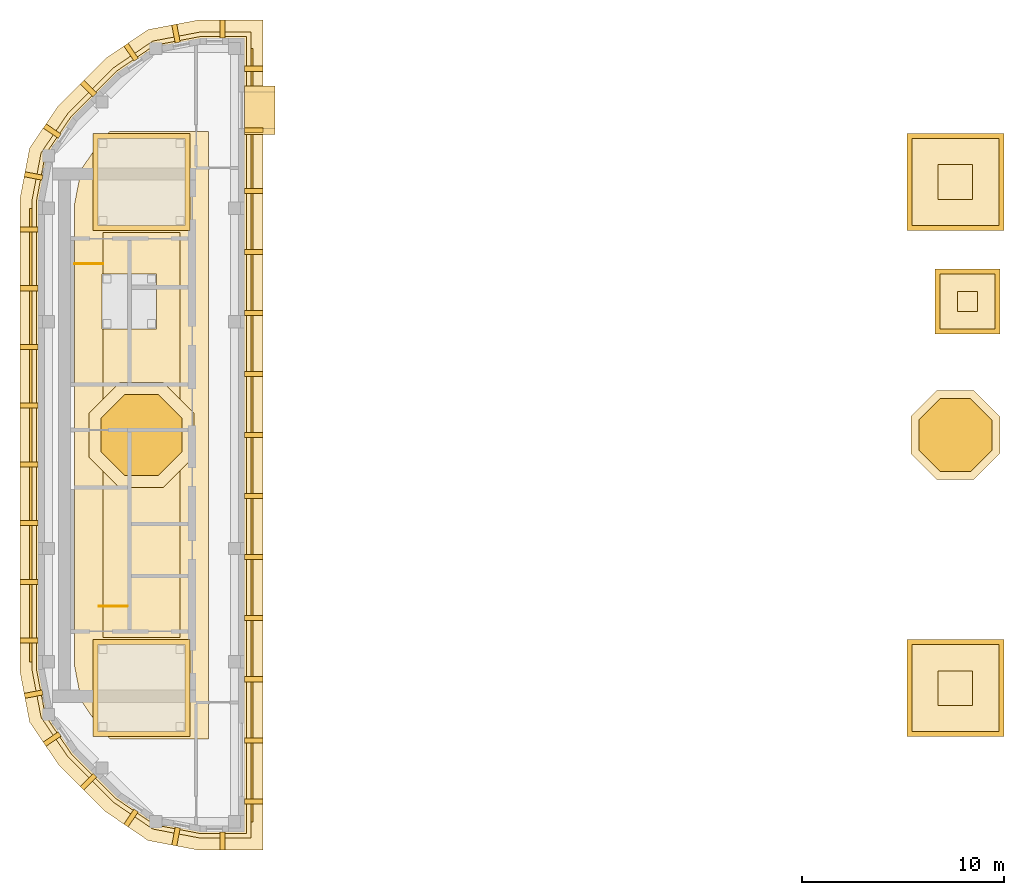
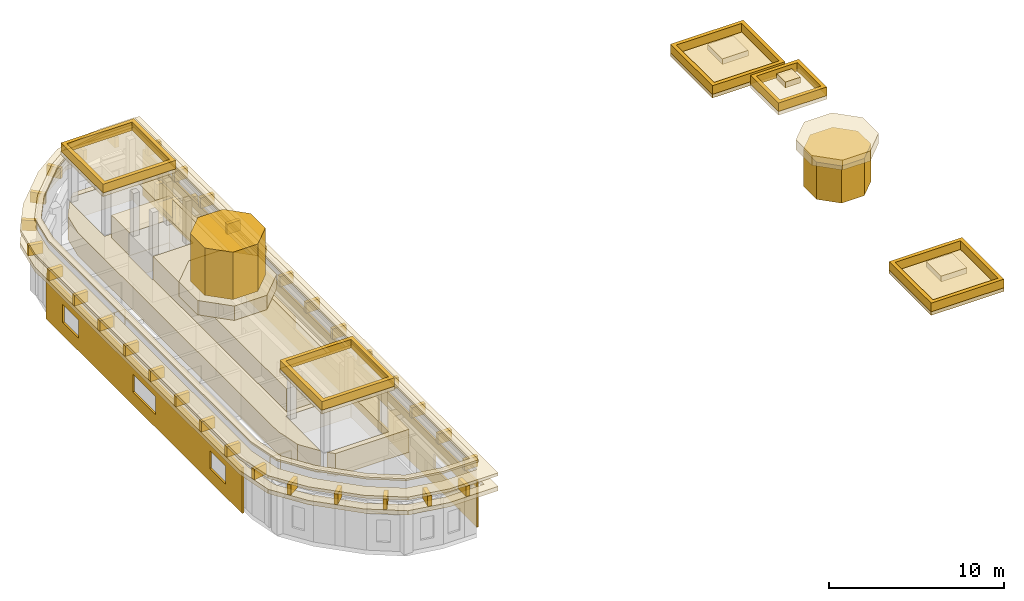
# One storey, part 4 of 4: 59 coverings, 2 railings.
"""IFC4 building model written with IfcOpenShell, lengths in metres."""

import ifcopenshell
import ifcopenshell.guid

model = None  # the IFC model being written
_history = None  # IfcOwnerHistory: only IFC2X3 demands one
_inside = {}  # id of a spatial element -> (the spatial element, [elements in it])
_under = {}  # id of a project, library or spatial element -> (it, [spatial elements below it])
_declared = {}  # id of a project -> (the project, [libraries it declares])
_typed = {}  # id of a type object -> (the type object, [elements of that type])
_made_of = {}  # id of a material, layer set ... -> (it, [elements and type objects made of it])


def new_model(schema):
    """Start an empty IFC model of exactly this schema.

    Asked for "IFC4X3", IfcOpenShell would pick the latest addendum, in which some entities
    have other attributes; the version numbers below select the first issue.
    IFC2X3 requires an IfcOwnerHistory on every rooted entity: one is made here for all.
    """
    global model, _history
    if schema == "IFC4X3":
        model = ifcopenshell.file(schema_version=(4, 3, 0, 0))
    else:
        model = ifcopenshell.file(schema=schema)
    _inside.clear()
    _under.clear()
    _declared.clear()
    _typed.clear()
    _made_of.clear()
    _history = None
    if model.schema == "IFC2X3":
        org = make("IfcOrganization", Name="unknown")
        user = make(
            "IfcPersonAndOrganization",
            ThePerson=make("IfcPerson", FamilyName="unknown"),
            TheOrganization=org,
        )
        app = make(
            "IfcApplication",
            ApplicationDeveloper=org,
            Version="unknown",
            ApplicationFullName="unknown",
            ApplicationIdentifier="unknown",
        )
        _history = make(
            "IfcOwnerHistory",
            OwningUser=user,
            OwningApplication=app,
            ChangeAction="ADDED",
            CreationDate=0,
        )
    return model


def make(cls, **values):
    """One entity of the class cls with the attributes given. An attribute that is None is left unset."""
    return model.create_entity(
        cls, **{name: value for name, value in values.items() if value is not None}
    )


def rooted(cls, **values):
    """An entity with a GlobalId (a new one), such as an element, a storey or a relation."""
    return make(cls, GlobalId=ifcopenshell.guid.new(), OwnerHistory=_history, **values)


def si_unit(unit_type, name, prefix=None):
    """IfcSIUnit, for example si_unit("LENGTHUNIT", "METRE", prefix="MILLI")."""
    return make("IfcSIUnit", UnitType=unit_type, Prefix=prefix, Name=name)


def assignment(units):
    """IfcUnitAssignment: the units of a project."""
    return None if units is None else make("IfcUnitAssignment", Units=units)


def point(xyz):
    """IfcCartesianPoint."""
    return None if xyz is None else make("IfcCartesianPoint", Coordinates=xyz)


def direction(xyz):
    """IfcDirection."""
    return None if xyz is None else make("IfcDirection", DirectionRatios=xyz)


def frame(location, z_axis=None, x_axis=None):
    """IfcAxis2Placement3D, a coordinate frame: its origin and axes. An axis left out is left unset."""
    return make(
        "IfcAxis2Placement3D",
        Location=point(location),
        Axis=direction(z_axis),
        RefDirection=direction(x_axis),
    )


def frame_2d(location, x_axis=None):
    """IfcAxis2Placement2D, a coordinate frame in the plane: its origin and x axis."""
    return make(
        "IfcAxis2Placement2D", Location=point(location), RefDirection=direction(x_axis)
    )


def origin():
    """The frame at (0, 0, 0) with its axes left unset."""
    return frame((0.0, 0.0, 0.0))


def origin_2d():
    """The frame at (0, 0) in the plane with its x axis left unset."""
    return frame_2d((0.0, 0.0))


def place(relative_to, where):
    """IfcLocalPlacement: puts the frame where relative to a parent placement (None: the world)."""
    return make(
        "IfcLocalPlacement", PlacementRelTo=relative_to, RelativePlacement=where
    )


def context(
    kind, dimensions, precision=None, world=None, true_north=None, identifier=None
):
    """IfcGeometricRepresentationContext, for example the 3D "Model" context."""
    return make(
        "IfcGeometricRepresentationContext",
        ContextIdentifier=identifier,
        ContextType=kind,
        CoordinateSpaceDimension=dimensions,
        Precision=precision,
        WorldCoordinateSystem=world,
        TrueNorth=true_north,
    )


def subcontext(parent, identifier, kind, view, scale=None):
    """IfcGeometricRepresentationSubContext, for example "Body" below "Model"."""
    return make(
        "IfcGeometricRepresentationSubContext",
        ContextIdentifier=identifier,
        ContextType=kind,
        ParentContext=parent,
        TargetScale=scale,
        TargetView=view,
    )


def project(units=None, contexts=None):
    """IfcProject with its units and contexts."""
    return rooted(
        "IfcProject",
        Name="project",
        RepresentationContexts=contexts,
        UnitsInContext=assignment(units),
    )


def spatial(cls, under=None, at=None, **own):
    """A site, building, storey or space (cls), placed at a placement, below another one or the project."""
    s = rooted(cls, ObjectPlacement=at, **own)
    if under is not None:
        _under.setdefault(under.id(), (under, []))[1].append(s)
    return s


def polyline(points):
    """IfcPolyline through the points."""
    return make("IfcPolyline", Points=[point(p) for p in points])


def profile(cls, at=None, kind="AREA", **sizes):
    """A parametric profile (cls). Its sizes go by their IFC names, for example OverallWidth=200.0."""
    return make(cls, ProfileType=kind, Position=at, **sizes)


def rectangle(**sizes):
    """IfcRectangleProfileDef."""
    return profile("IfcRectangleProfileDef", **sizes)


def circle(**sizes):
    """IfcCircleProfileDef."""
    return profile("IfcCircleProfileDef", **sizes)


def outline(outer, holes=None, kind="AREA"):
    """IfcArbitraryClosedProfileDef: a profile drawn as a closed curve; with holes, ...WithVoids."""
    if holes is None:
        return make("IfcArbitraryClosedProfileDef", ProfileType=kind, OuterCurve=outer)
    return make(
        "IfcArbitraryProfileDefWithVoids",
        ProfileType=kind,
        OuterCurve=outer,
        InnerCurves=holes,
    )


def extrude(swept, where, along, depth):
    """IfcExtrudedAreaSolid: the profile swept, set in the frame where, extruded along a direction by depth."""
    return make(
        "IfcExtrudedAreaSolid",
        SweptArea=swept,
        Position=where,
        ExtrudedDirection=direction(along),
        Depth=depth,
    )


def shape(context_of_items, identifier, shape_type, items):
    """IfcShapeRepresentation: the items that make up one representation, for example the "Body"."""
    return make(
        "IfcShapeRepresentation",
        ContextOfItems=context_of_items,
        RepresentationIdentifier=identifier,
        RepresentationType=shape_type,
        Items=items,
    )


def material(Name=None, Category=None):
    """IfcMaterial."""
    return make("IfcMaterial", Name=Name, Category=Category)


def layer(
    of_material, thickness, ventilated=None, Name=None, Category=None, Priority=None
):
    """IfcMaterialLayer: one layer of a wall or slab, of a material (None: an air gap)."""
    return make(
        "IfcMaterialLayer",
        Material=of_material,
        LayerThickness=thickness,
        IsVentilated=ventilated,
        Name=Name,
        Category=Category,
        Priority=Priority,
    )


def layer_set(layers, Name=None):
    """IfcMaterialLayerSet."""
    return make("IfcMaterialLayerSet", MaterialLayers=layers, LayerSetName=Name)


def made_of(thing, what):
    """Note that an element or type object is made of a material, layer set ...; save() writes the relation."""
    if what is not None:
        _made_of.setdefault(what.id(), (what, []))[1].append(thing)
    return thing


def type_object(cls, material=None, **own):
    """A type object (cls), such as IfcWallType, which elements share."""
    return made_of(rooted(cls, **own), material)


def element(
    cls,
    number,
    at=None,
    inside=None,
    cuts=None,
    type_object=None,
    material=None,
    context=None,
    identifier="Body",
    shape_type=None,
    held_by="IfcProductDefinitionShape",
    body=None,
    shapes=None,
    **own,
):
    """One element of the class cls, such as IfcWall. Its Tag is "e" and its number.

    at: its placement. inside: the storey or other place that contains it. cuts: it is an
    opening in that element (IfcRelVoidsElement). A single representation is given by context,
    identifier, shape_type and body (its items); several are given by shapes. held_by: the class
    of the entity that holds the representations. save() writes the other relations.
    """
    e = rooted(cls, Tag="e%d" % number, ObjectPlacement=at, **own)
    if body is not None:
        shapes = [shape(context, identifier, shape_type, body)]
    if shapes is not None:
        e.Representation = make(held_by, Representations=shapes)
    if inside is not None:
        _inside.setdefault(inside.id(), (inside, []))[1].append(e)
    if cuts is not None:
        rooted(
            "IfcRelVoidsElement", RelatingBuildingElement=cuts, RelatedOpeningElement=e
        )
    if type_object is not None:
        _typed.setdefault(type_object.id(), (type_object, []))[1].append(e)
    return made_of(e, material)


def aggregate(whole, parts):
    """IfcRelAggregates: a whole, such as a stair, and the parts it consists of."""
    return rooted("IfcRelAggregates", RelatingObject=whole, RelatedObjects=parts)


def save(model, path):
    """Write the relations noted so far, then the file.

    IfcRelAggregates (storeys below a building ...), IfcRelContainedInSpatialStructure (elements
    in a storey), IfcRelDefinesByType, IfcRelAssociatesMaterial and IfcRelDeclares: one each for
    every whole, place, type object, material and project.
    """
    for whole, parts in _under.values():
        aggregate(whole, parts)
    for where, things in _inside.values():
        rooted(
            "IfcRelContainedInSpatialStructure",
            RelatedElements=things,
            RelatingStructure=where,
        )
    for kind, things in _typed.values():
        rooted("IfcRelDefinesByType", RelatedObjects=things, RelatingType=kind)
    for what, things in _made_of.values():
        rooted("IfcRelAssociatesMaterial", RelatedObjects=things, RelatingMaterial=what)
    for by, libraries in _declared.values():
        rooted("IfcRelDeclares", RelatingContext=by, RelatedDefinitions=libraries)
    model.write(path)


model = new_model("IFC4")

# Units and contexts
model_context = context("Model", 3, precision=1e-05, world=origin(), true_north=direction((0.0, 1.0)))
body_context = subcontext(model_context, "Body", "Model", "MODEL_VIEW")
ifc_project = project(units=[si_unit("LENGTHUNIT", "METRE"), si_unit("AREAUNIT", "SQUARE_METRE"), si_unit("VOLUMEUNIT", "CUBIC_METRE"), si_unit("PLANEANGLEUNIT", "RADIAN"), si_unit("MASSUNIT", "GRAM", prefix="KILO")], contexts=[model_context])

# Site, building, storey
site_placement = place(None, origin())
site = spatial("IfcSite", under=ifc_project, at=site_placement, CompositionType="ELEMENT")
building_placement = place(site_placement, origin())
building = spatial("IfcBuilding", under=site, at=building_placement, Name="Kiln Ring Residences", CompositionType="ELEMENT")
storey_placement = place(building_placement, frame((0.0, 0.0, 320.89990234375)))
storey = spatial("IfcBuildingStorey", under=building, at=storey_placement, Name="L83 Crown", CompositionType="ELEMENT", Elevation=320.89990234375)

# Coverings
ifc_material_1 = material(Name="Concrete C35/45, exposed aggregate finish", Category="concrete")
ifc_layer_1 = layer(ifc_material_1, 0.25)
ifc_layer_set_1 = layer_set([ifc_layer_1], Name="CHHAJJA BRACKET 250")
covering_type_1 = type_object("IfcCoveringType", Name="CHHAJJA BRACKET 250", PredefinedType="CLADDING", material=ifc_layer_set_1)
for number, where, z_axis, x_axis, name in (
    (1, (-18.31201171875, -19.387939453125, 3.52001953125), (0.0, 0.0, 1.0), (-0.18744866362, -0.98227440082, 0.0), "CHHAJJA BRACKET west peak"),
    (2, (-16.10009765625, -19.60009765625, 3.52001953125), (0.0, 0.0, 1.0), (0.0, -1.0, 0.0), "CHHAJJA BRACKET west peak"),
    (3, (-15.0, -18.09228515625, 3.52001953125), (0.0, 0.0, 1.0), (1.0, 0.0, 0.0), "CHHAJJA BRACKET west peak"),
    (4, (-15.0, -15.076904296875, 3.52001953125), (0.0, 0.0, 1.0), (1.0, 0.0, 0.0), "CHHAJJA BRACKET west peak"),
    (5, (-15.0, -12.0615234375, 3.52001953125), (0.0, 0.0, 1.0), (1.0, 0.0, 0.0), "CHHAJJA BRACKET west peak"),
    (6, (-15.0, -9.046142578125, 3.52001953125), (0.0, 0.0, 1.0), (1.0, 0.0, 0.0), "CHHAJJA BRACKET west peak"),
    (7, (-15.0, -6.03076171875, 3.52001953125), (0.0, 0.0, 1.0), (1.0, 0.0, 0.0), "CHHAJJA BRACKET west peak"),
    (8, (-15.0, -3.015380859375, 3.52001953125), (0.0, 0.0, 1.0), (1.0, 0.0, 0.0), "CHHAJJA BRACKET west peak"),
    (9, (-15.0, 0.0, 3.52001953125), (0.0, 0.0, 1.0), (1.0, 0.0, 0.0), "CHHAJJA BRACKET west peak"),
    (10, (-15.0, 3.015380859375, 3.52001953125), (0.0, 0.0, 1.0), (1.0, 0.0, 0.0), "CHHAJJA BRACKET west peak"),
    (11, (-15.0, 6.03076171875, 3.52001953125), (0.0, 0.0, 1.0), (1.0, 0.0, 0.0), "CHHAJJA BRACKET west peak"),
    (12, (-15.0, 9.046142578125, 3.52001953125), (0.0, 0.0, 1.0), (1.0, 0.0, 0.0), "CHHAJJA BRACKET west peak"),
    (13, (-15.0, 12.0615234375, 3.52001953125), (0.0, 0.0, 1.0), (1.0, 0.0, 0.0), "CHHAJJA BRACKET west peak"),
    (14, (-15.0, 15.076904296875, 3.52001953125), (0.0, 0.0, 1.0), (1.0, 0.0, 0.0), "CHHAJJA BRACKET west peak"),
    (15, (-15.0, 18.09228515625, 3.52001953125), (0.0, 0.0, 1.0), (1.0, 0.0, 0.0), "CHHAJJA BRACKET west peak"),
    (16, (-16.10009765625, 19.60009765625, 3.52001953125), (0.0, 0.0, 1.0), (0.0, 1.0, 0.0), "CHHAJJA BRACKET west peak"),
    (17, (-18.31201171875, 19.387939453125, 3.52001953125), (0.0, 0.0, 1.0), (-0.18744866362, 0.98227440082, 0.0), "CHHAJJA BRACKET west peak"),
    (18, (-20.360595703125, 18.539306640625, 3.52001953125), (0.0, 0.0, 1.0), (-0.562065144193, 0.827092965562, 0.0), "CHHAJJA BRACKET west peak"),
    (19, (-22.39990234375, 16.800048828125, 3.52001953125), (0.0, 0.0, 1.0), (-0.70724241114, 0.706971125213, 0.0), "CHHAJJA BRACKET west peak"),
    (20, (-24.139404296875, 14.7607421875, 3.52001953125), (0.0, 0.0, 1.0), (-0.827092965562, 0.562065144193, 0.0), "CHHAJJA BRACKET west peak"),
    (21, (-24.98779296875, 12.712158203125, 3.52001953125), (0.0, 0.0, 1.0), (-0.98227440082, 0.18744866362, 0.0), "CHHAJJA BRACKET west peak"),
):
    element("IfcCovering", number, at=place(storey_placement, frame(where, z_axis=z_axis, x_axis=x_axis)), inside=storey, type_object=covering_type_1, Name=name, PredefinedType="CLADDING", context=body_context, shape_type="SweptSolid", body=[
        extrude(outline(polyline([(0.0, 0.0), (0.89990234375, 0.0), (0.89990234375, 0.72998046875), (0.0, 0.72998046875), (0.0, 0.0), (0.0, 0.0)])), frame((0.0, 0.125, 0.0), z_axis=(0.0, -1.0, 0.0), x_axis=(1.0, 0.0, 0.0)), (0.0, 0.0, 1.0), 0.25),
    ])
for number, where, z_axis, x_axis, name in (
    (22, (-25.199951171875, 10.14990234375, 3.52001953125), (0.0, 0.0, 1.0), (-1.0, 0.0, 0.0), "CHHAJJA BRACKET west peak"),
    (23, (-25.199951171875, 7.25, 3.52001953125), (0.0, 0.0, 1.0), (-1.0, 0.0, 0.0), "CHHAJJA BRACKET west peak"),
    (24, (-25.199951171875, 4.35009765625, 3.52001953125), (0.0, 0.0, 1.0), (-1.0, 0.0, 0.0), "CHHAJJA BRACKET west peak"),
    (25, (-25.199951171875, 1.449951171875, 3.52001953125), (0.0, 0.0, 1.0), (-1.0, 0.0, 0.0), "CHHAJJA BRACKET west peak"),
    (26, (-25.199951171875, -1.449951171875, 3.52001953125), (0.0, 0.0, 1.0), (-1.0, 0.0, 0.0), "CHHAJJA BRACKET west peak"),
    (27, (-25.199951171875, -4.35009765625, 3.52001953125), (0.0, 0.0, 1.0), (-1.0, 0.0, 0.0), "CHHAJJA BRACKET west peak"),
    (28, (-25.199951171875, -7.25, 3.52001953125), (0.0, 0.0, 1.0), (-1.0, 0.0, 0.0), "CHHAJJA BRACKET west peak"),
    (29, (-25.199951171875, -10.14990234375, 3.52001953125), (0.0, 0.0, 1.0), (-1.0, 0.0, 0.0), "CHHAJJA BRACKET west peak"),
):
    element("IfcCovering", number, at=place(storey_placement, frame(where, z_axis=z_axis, x_axis=x_axis)), inside=storey, type_object=covering_type_1, Name=name, PredefinedType="CLADDING", context=body_context, shape_type="SweptSolid", body=[
        extrude(outline(polyline([(0.0, 0.0), (0.900146484375, 0.0), (0.89990234375, 0.72998046875), (0.0, 0.72998046875), (0.0, 0.0), (0.0, 0.0)])), frame((0.0, 0.125, 0.0), z_axis=(0.0, -1.0, 0.0), x_axis=(1.0, 0.0, 0.0)), (0.0, 0.0, 1.0), 0.25),
    ])
for number, where, z_axis, x_axis, name in (
    (30, (-24.98779296875, -12.712158203125, 3.52001953125), (0.0, 0.0, 1.0), (-0.98227440082, -0.18744866362, 0.0), "CHHAJJA BRACKET west peak"),
    (31, (-24.139404296875, -14.7607421875, 3.52001953125), (0.0, 0.0, 1.0), (-0.827092965562, -0.562065144193, 0.0), "CHHAJJA BRACKET west peak"),
    (32, (-22.39990234375, -16.800048828125, 3.52001953125), (0.0, 0.0, 1.0), (-0.70724241114, -0.706971125213, 0.0), "CHHAJJA BRACKET west peak"),
    (33, (-20.360595703125, -18.539306640625, 3.52001953125), (0.0, 0.0, 1.0), (-0.562065144193, -0.827092965562, 0.0), "CHHAJJA BRACKET west peak"),
):
    element("IfcCovering", number, at=place(storey_placement, frame(where, z_axis=z_axis, x_axis=x_axis)), inside=storey, type_object=covering_type_1, Name=name, PredefinedType="CLADDING", context=body_context, shape_type="SweptSolid", body=[
        extrude(outline(polyline([(0.0, 0.0), (0.89990234375, 0.0), (0.89990234375, 0.72998046875), (0.0, 0.72998046875), (0.0, 0.0), (0.0, 0.0)])), frame((0.0, 0.125, 0.0), z_axis=(0.0, -1.0, 0.0), x_axis=(1.0, 0.0, 0.0)), (0.0, 0.0, 1.0), 0.25),
    ])
ifc_material_2 = material(Name="Concrete C35/45, exposed aggregate finish", Category="concrete")
ifc_layer_2 = layer(ifc_material_2, 0.199951171875)
ifc_layer_set_2 = layer_set([ifc_layer_2], Name="CHHAJJA RING 200")
covering_type_2 = type_object("IfcCoveringType", Name="CHHAJJA RING 200", PredefinedType="CLADDING", material=ifc_layer_set_2)
covering_1_placement = place(storey_placement, frame((0.0, 0.0, 4.25)))
element("IfcCovering", 34, at=covering_1_placement, inside=storey, type_object=covering_type_2, Name="CHHAJJA RING west peak", PredefinedType="CLADDING", context=body_context, shape_type="SweptSolid", body=[
    extrude(outline(polyline([(-21.873291015625, -18.599609375), (-19.77587890625, -20.02490234375), (-17.28515625, -20.5), (-14.10009765625, -20.5), (-14.10009765625, 20.5), (-17.28515625, 20.5), (-19.77587890625, 20.02490234375), (-21.873291015625, 18.599609375), (-24.199462890625, 16.273193359375), (-25.625, 14.176025390625), (-26.10009765625, 11.68505859375), (-26.10009765625, -11.68505859375), (-25.625, -14.176025390625), (-24.199462890625, -16.273193359375), (-21.873291015625, -18.599609375)]), holes=[polyline([(-17.199951171875, -19.60009765625), (-19.42431640625, -19.17578125), (-21.297119140625, -17.90283203125), (-23.5029296875, -15.697021484375), (-24.775634765625, -13.82421875), (-25.199951171875, -11.60009765625), (-25.199951171875, 11.60009765625), (-24.775634765625, 13.82421875), (-23.5029296875, 15.697021484375), (-21.297119140625, 17.90283203125), (-19.42431640625, 19.17578125), (-17.199951171875, 19.60009765625), (-15.0, 19.60009765625), (-15.0, -19.60009765625), (-17.199951171875, -19.60009765625)])]), origin(), (0.0, 0.0, 1.0), 0.2001953125),
])
ifc_material_3 = material(Name="Brick masonry, dark clay brick", Category="masonry")
ifc_layer_3 = layer(ifc_material_3, 0.25)
ifc_layer_set_3 = layer_set([ifc_layer_3], Name="CHHATRI PARAPET 250")
covering_type_3 = type_object("IfcCoveringType", Name="CHHATRI PARAPET 250", PredefinedType="CLADDING", material=ifc_layer_set_3)
placement_1 = place(storey_placement, frame((0.0, 0.0, 8.35009765625)))
element("IfcCovering", 35, at=placement_1, inside=storey, type_object=covering_type_3, Name="CHHATRI PARAPET L83 Crown", PredefinedType="CLADDING", context=body_context, shape_type="SweptSolid", body=[
    extrude(outline(polyline([(-22.5, 10.10009765625), (-17.699951171875, 10.10009765625), (-17.699951171875, 14.89990234375), (-22.5, 14.89990234375), (-22.5, 10.10009765625)]), holes=[polyline([(-17.949951171875, 14.64990234375), (-17.949951171875, 10.35009765625), (-22.25, 10.35009765625), (-22.25, 14.64990234375), (-17.949951171875, 14.64990234375)])]), origin(), (0.0, 0.0, 1.0), 0.60009765625),
])
element("IfcCovering", 36, at=placement_1, inside=storey, type_object=covering_type_3, Name="CHHATRI PARAPET L83 Crown", PredefinedType="CLADDING", context=body_context, shape_type="SweptSolid", body=[
    extrude(outline(polyline([(-22.5, -14.89990234375), (-17.699951171875, -14.89990234375), (-17.699951171875, -10.10009765625), (-22.5, -10.10009765625), (-22.5, -14.89990234375)]), holes=[polyline([(-17.949951171875, -10.35009765625), (-17.949951171875, -14.64990234375), (-22.25, -14.64990234375), (-22.25, -10.35009765625), (-17.949951171875, -10.35009765625)])]), origin(), (0.0, 0.0, 1.0), 0.60009765625),
])
placement_2 = place(storey_placement, frame((0.0, 0.0, 1.150146484375)))
element("IfcCovering", 37, at=placement_2, inside=storey, type_object=covering_type_3, Name="CHHATRI PARAPET L81 Crown", PredefinedType="CLADDING", context=body_context, shape_type="SweptSolid", body=[
    extrude(outline(polyline([(17.699951171875, 10.10009765625), (22.5, 10.10009765625), (22.5, 14.89990234375), (17.699951171875, 14.89990234375), (17.699951171875, 10.10009765625)]), holes=[polyline([(22.25, 14.64990234375), (22.25, 10.35009765625), (17.949951171875, 10.35009765625), (17.949951171875, 14.64990234375), (22.25, 14.64990234375)])]), origin(), (0.0, 0.0, 1.0), 0.599853515625),
])
element("IfcCovering", 38, at=placement_2, inside=storey, type_object=covering_type_3, Name="CHHATRI PARAPET L81 Crown", PredefinedType="CLADDING", context=body_context, shape_type="SweptSolid", body=[
    extrude(outline(polyline([(17.699951171875, -14.89990234375), (22.5, -14.89990234375), (22.5, -10.10009765625), (17.699951171875, -10.10009765625), (17.699951171875, -14.89990234375)]), holes=[polyline([(22.25, -10.35009765625), (22.25, -14.64990234375), (17.949951171875, -14.64990234375), (17.949951171875, -10.35009765625), (22.25, -10.35009765625)])]), origin(), (0.0, 0.0, 1.0), 0.599853515625),
])
covering_6_placement = place(storey_placement, frame((0.0, 0.0, 2.550048828125)))
element("IfcCovering", 39, at=covering_6_placement, inside=storey, type_object=covering_type_3, Name="CHHATRI PARAPET L81 Crown", PredefinedType="CLADDING", context=body_context, shape_type="SweptSolid", body=[
    extrude(outline(polyline([(19.10009765625, 5.0), (22.300048828125, 5.0), (22.300048828125, 8.199951171875), (19.10009765625, 8.199951171875), (19.10009765625, 5.0)]), holes=[polyline([(22.050048828125, 7.949951171875), (22.050048828125, 5.25), (19.35009765625, 5.25), (19.35009765625, 7.949951171875), (22.050048828125, 7.949951171875)])]), origin(), (0.0, 0.0, 1.0), 0.60009765625),
])
ifc_material_4 = material(Name="Concrete C35/45, exposed aggregate finish", Category="concrete")
ifc_layer_4 = layer(ifc_material_4, 0.25)
ifc_layer_set_4 = layer_set([ifc_layer_4], Name="CHHATRI ROOF 250")
covering_type_4 = type_object("IfcCoveringType", Name="CHHATRI ROOF 250", PredefinedType="ROOFING", material=ifc_layer_set_4)
placement_3 = place(storey_placement, frame((0.0, 0.0, 8.10009765625)))
element("IfcCovering", 40, at=placement_3, inside=storey, type_object=covering_type_4, Name="CHHATRI ROOF L83 Crown", PredefinedType="ROOFING", context=body_context, shape_type="SweptSolid", body=[
    extrude(outline(polyline([(-17.699951171875, 10.10009765625), (-17.699951171875, 14.89990234375), (-22.5, 14.89990234375), (-22.5, 10.10009765625), (-17.699951171875, 10.10009765625)])), origin(), (0.0, 0.0, 1.0), 0.25),
])
element("IfcCovering", 41, at=placement_3, inside=storey, type_object=covering_type_4, Name="CHHATRI ROOF L83 Crown", PredefinedType="ROOFING", context=body_context, shape_type="SweptSolid", body=[
    extrude(outline(polyline([(-17.699951171875, -14.89990234375), (-17.699951171875, -10.10009765625), (-22.5, -10.10009765625), (-22.5, -14.89990234375), (-17.699951171875, -14.89990234375)])), origin(), (0.0, 0.0, 1.0), 0.25),
])
placement_4 = place(storey_placement, frame((0.0, 0.0, 0.900146484375)))
element("IfcCovering", 42, at=placement_4, inside=storey, type_object=covering_type_4, Name="CHHATRI ROOF L81 Crown", PredefinedType="ROOFING", context=body_context, shape_type="SweptSolid", body=[
    extrude(outline(polyline([(22.5, 10.10009765625), (22.5, 14.89990234375), (17.699951171875, 14.89990234375), (17.699951171875, 10.10009765625), (22.5, 10.10009765625)])), origin(), (0.0, 0.0, 1.0), 0.25),
])
placement_5 = place(storey_placement, frame((0.0, 0.0, 1.75)))
element("IfcCovering", 43, at=placement_5, inside=storey, type_object=covering_type_4, Name="CHHATRI CAP L81 Crown", PredefinedType="ROOFING", context=body_context, shape_type="SweptSolid", body=[
    extrude(outline(polyline([(20.955078125, 11.64501953125), (20.955078125, 13.35498046875), (19.2451171875, 13.35498046875), (19.2451171875, 11.64501953125), (20.955078125, 11.64501953125)])), origin(), (0.0, 0.0, 1.0), 0.400146484375),
])
element("IfcCovering", 44, at=placement_4, inside=storey, type_object=covering_type_4, Name="CHHATRI ROOF L81 Crown", PredefinedType="ROOFING", context=body_context, shape_type="SweptSolid", body=[
    extrude(outline(polyline([(22.5, -14.89990234375), (22.5, -10.10009765625), (17.699951171875, -10.10009765625), (17.699951171875, -14.89990234375), (22.5, -14.89990234375)])), origin(), (0.0, 0.0, 1.0), 0.25),
])
element("IfcCovering", 45, at=placement_5, inside=storey, type_object=covering_type_4, Name="CHHATRI CAP L81 Crown", PredefinedType="ROOFING", context=body_context, shape_type="SweptSolid", body=[
    extrude(outline(polyline([(20.955078125, -13.35498046875), (20.955078125, -11.64501953125), (19.2451171875, -11.64501953125), (19.2451171875, -13.35498046875), (20.955078125, -13.35498046875)])), origin(), (0.0, 0.0, 1.0), 0.400146484375),
])
covering_13_placement = place(storey_placement, frame((0.0, 0.0, 2.300048828125)))
element("IfcCovering", 46, at=covering_13_placement, inside=storey, type_object=covering_type_4, Name="CHHATRI ROOF L81 Crown", PredefinedType="ROOFING", context=body_context, shape_type="SweptSolid", body=[
    extrude(outline(polyline([(22.300048828125, 5.0), (22.300048828125, 8.199951171875), (19.10009765625, 8.199951171875), (19.10009765625, 5.0), (22.300048828125, 5.0)])), origin(), (0.0, 0.0, 1.0), 0.25),
])
covering_14_placement = place(storey_placement, frame((0.0, 0.0, 3.150146484375)))
element("IfcCovering", 47, at=covering_14_placement, inside=storey, type_object=covering_type_4, Name="CHHATRI CAP L81 Crown", PredefinedType="ROOFING", context=body_context, shape_type="SweptSolid", body=[
    extrude(outline(polyline([(21.195068359375, 6.10498046875), (21.195068359375, 7.094970703125), (20.205078125, 7.094970703125), (20.205078125, 6.10498046875), (21.195068359375, 6.10498046875)])), origin(), (0.0, 0.0, 1.0), 0.39990234375),
])

# Railings
ifc_material_5 = material(Name="Stainless steel", Category="steel")
railing_type = type_object("IfcRailingType", Name="CORE-STAIR-GUARD", PredefinedType="GUARDRAIL", material=ifc_material_5)
railing_1_placement = place(storey_placement, frame((-23.39990234375, 8.449951171875, 0.0)))
element("IfcRailing", 48, at=railing_1_placement, inside=storey, type_object=railing_type, Name="L83 Crown W-STN top well guard 1", PredefinedType="GUARDRAIL", context=body_context, shape_type="SweptSolid", body=[
    extrude(circle(Radius=0.02392578125, at=origin_2d()), frame((0.0, 0.0, 1.076171875), z_axis=(1.0, 0.0, 0.0), x_axis=(0.0, 1.0, 0.0)), (0.0, 0.0, 1.0), 1.39990234375),
    extrude(circle(Radius=0.02099609375, at=origin_2d()), origin(), (0.0, 0.0, 1.0), 1.052001953125),
    extrude(circle(Radius=0.02099609375, at=origin_2d()), frame((0.699951171875, 0.0, 0.0)), (0.0, 0.0, 1.0), 1.052001953125),
    extrude(circle(Radius=0.02099609375, at=origin_2d()), frame((1.39990234375, 0.0, 0.0)), (0.0, 0.0, 1.0), 1.052001953125),
])
railing_2_placement = place(storey_placement, frame((-20.800048828125, -8.449951171875, 0.0)))
element("IfcRailing", 49, at=railing_2_placement, inside=storey, type_object=railing_type, Name="L83 Crown W-STS top well guard 1", PredefinedType="GUARDRAIL", context=body_context, shape_type="SweptSolid", body=[
    extrude(circle(Radius=0.02392578125, at=origin_2d()), frame((0.0, 0.0, 1.076171875), z_axis=(-1.0, 0.0, 0.0), x_axis=(0.0, -1.0, 0.0)), (0.0, 0.0, 1.0), 1.39990234375),
    extrude(circle(Radius=0.02099609375, at=origin_2d()), origin(), (0.0, 0.0, 1.0), 1.052001953125),
    extrude(circle(Radius=0.02099609375, at=origin_2d()), frame((-0.699951171875, 0.0, 0.0)), (0.0, 0.0, 1.0), 1.052001953125),
    extrude(circle(Radius=0.02099609375, at=origin_2d()), frame((-1.39990234375, 0.0, 0.0)), (0.0, 0.0, 1.0), 1.052001953125),
])

# Coverings
ifc_material_6 = material(Name="Brick masonry, dark clay brick", Category="masonry")
ifc_layer_5 = layer(ifc_material_6, 0.300048828125)
ifc_layer_set_5 = layer_set([ifc_layer_5], Name="FRAME CHEEKS AND SILL 1500")
covering_type_5 = type_object("IfcCoveringType", Name="FRAME CHEEKS AND SILL 1500", PredefinedType="CLADDING", material=ifc_layer_set_5)
covering_15_placement = place(storey_placement, frame((-14.25, 14.83740234375, 0.60009765625), z_axis=(0.0, 0.0, 1.0), x_axis=(0.0, 1.0, 0.0)))
element("IfcCovering", 50, at=covering_15_placement, inside=storey, type_object=covering_type_5, Name="FRAME L83 Crown", PredefinedType="CLADDING", context=body_context, shape_type="SweptSolid", body=[
    extrude(outline(polyline([(0.0, 0.0), (2.400146484375, 0.0), (2.39990234375, 1.550048828125), (2.10107421875, 1.550048828125), (2.10009765625, 0.300048828125), (0.300048828125, 0.300048828125), (0.299072265625, 1.550048828125), (0.0, 1.550048828125), (0.0, 0.0)])), frame((0.0, 0.75, 0.0), z_axis=(0.0, -1.0, 0.0), x_axis=(1.0, 0.0, 0.0)), (0.0, 0.0, 1.0), 1.5),
])
ifc_material_7 = material(Name="Brick masonry, dark clay brick", Category="masonry")
ifc_layer_6 = layer(ifc_material_7, 0.199951171875)
ifc_layer_set_6 = layer_set([ifc_layer_6], Name="FRAME HEAD 1500")
covering_type_6 = type_object("IfcCoveringType", Name="FRAME HEAD 1500", PredefinedType="CLADDING", material=ifc_layer_set_6)
covering_16_placement = place(storey_placement, frame((-14.25, 16.03759765625, 2.14990234375), z_axis=(0.0, 0.0, 1.0), x_axis=(0.0, 1.0, 0.0)))
element("IfcCovering", 51, at=covering_16_placement, inside=storey, type_object=covering_type_6, Name="FRAME HEAD L83 Crown", PredefinedType="CLADDING", context=body_context, shape_type="SweptSolid", body=[
    extrude(rectangle(XDim=2.39990234375, YDim=1.5, at=origin_2d()), origin(), (0.0, 0.0, 1.0), 0.199951171875),
])
ifc_material_8 = material(Name="Brick masonry, dark clay brick", Category="masonry")
ifc_layer_7 = layer(ifc_material_8, 1.0)
ifc_layer_set_7 = layer_set([ifc_layer_7], Name="KILN STACK BRICK")
covering_type_7 = type_object("IfcCoveringType", Name="KILN STACK BRICK", PredefinedType="CLADDING", material=ifc_layer_set_7)
covering_17_placement = place(storey_placement, frame((0.0, 0.0, 3.5)))
element("IfcCovering", 52, at=covering_17_placement, inside=storey, type_object=covering_type_7, Name="KILN PLINTH west peak", PredefinedType="CLADDING", context=body_context, shape_type="SweptSolid", body=[
    extrude(outline(polyline([(-23.39990234375, 11.429931640625), (-23.39990234375, -11.429931640625), (-23.077392578125, -13.120849609375), (-22.25, -14.33837890625), (-22.25, -10.35009765625), (-17.949951171875, -10.35009765625), (-17.949951171875, -14.64990234375), (-22.00439453125, -14.64990234375), (-21.654296875, -15.0), (-16.800048828125, -15.0), (-16.800048828125, 15.0), (-21.654296875, 15.0), (-22.00439453125, 14.64990234375), (-17.949951171875, 14.64990234375), (-17.949951171875, 10.35009765625), (-22.25, 10.35009765625), (-22.25, 14.33837890625), (-23.077392578125, 13.120849609375), (-23.39990234375, 11.429931640625)]), holes=[polyline([(-19.35009765625, 7.949951171875), (-19.35009765625, 5.25), (-22.050048828125, 5.25), (-22.050048828125, 7.949951171875), (-19.35009765625, 7.949951171875)])]), origin(), (0.0, 0.0, 1.0), 1.60009765625),
])
covering_18_placement = place(storey_placement, frame((0.0, 0.0, 5.10009765625)))
element("IfcCovering", 53, at=covering_18_placement, inside=storey, type_object=covering_type_7, Name="KILN PLINTH west peak", PredefinedType="CLADDING", context=body_context, shape_type="SweptSolid", body=[
    extrude(outline(polyline([(-18.199951171875, 10.0), (-22.0, 10.0), (-22.0, 7.949951171875), (-19.35009765625, 7.949951171875), (-19.35009765625, 5.25), (-22.0, 5.25), (-22.0, -10.0), (-18.199951171875, -10.0), (-18.199951171875, 10.0)])), origin(), (0.0, 0.0, 1.0), 1.60009765625),
])
covering_19_placement = place(storey_placement, frame((0.0, 0.0, 6.7001953125)))
element("IfcCovering", 54, at=covering_19_placement, inside=storey, type_object=covering_type_7, Name="KILN STACK west peak", PredefinedType="CLADDING", context=body_context, shape_type="SweptSolid", body=[
    extrude(outline(polyline([(-17.5, 1.076904296875), (-19.02294921875, 2.60009765625), (-21.177001953125, 2.60009765625), (-22.699951171875, 1.076904296875), (-22.699951171875, -1.076904296875), (-21.177001953125, -2.60009765625), (-19.02294921875, -2.60009765625), (-17.5, -1.076904296875), (-17.5, 1.076904296875)])), origin(), (0.0, 0.0, 1.0), 1.0),
])
covering_20_placement = place(storey_placement, frame((0.0, 0.0, 7.7001953125)))
element("IfcCovering", 55, at=covering_20_placement, inside=storey, type_object=covering_type_7, Name="KILN STACK west peak", PredefinedType="CLADDING", context=body_context, shape_type="SweptSolid", body=[
    extrude(outline(polyline([(-18.10009765625, 0.828369140625), (-19.271484375, 2.0), (-20.928466796875, 2.0), (-22.10009765625, 0.828369140625), (-22.10009765625, -0.828369140625), (-20.928466796875, -2.0), (-19.271484375, -2.0), (-18.10009765625, -0.828369140625), (-18.10009765625, 0.828369140625)])), origin(), (0.0, 0.0, 1.0), 3.2998046875),
])
covering_21_placement = place(storey_placement, frame((0.0, 0.0, 0.2001953125)))
element("IfcCovering", 56, at=covering_21_placement, inside=storey, type_object=covering_type_7, Name="KILN STACK east peak", PredefinedType="CLADDING", context=body_context, shape_type="SweptSolid", body=[
    extrude(outline(polyline([(21.89990234375, 0.74560546875), (20.845703125, 1.800048828125), (19.3544921875, 1.800048828125), (18.300048828125, 0.74560546875), (18.300048828125, -0.74560546875), (19.3544921875, -1.800048828125), (20.845703125, -1.800048828125), (21.89990234375, -0.74560546875), (21.89990234375, 0.74560546875)])), origin(), (0.0, 0.0, 1.0), 2.599853515625),
])
covering_22_placement = place(storey_placement, frame((0.0, 0.0, 2.800048828125)))
element("IfcCovering", 57, at=covering_22_placement, inside=storey, type_object=covering_type_7, Name="KILN STACK east peak", PredefinedType="CLADDING", context=body_context, shape_type="SweptSolid", body=[
    extrude(outline(polyline([(22.300048828125, 0.911376953125), (21.01123046875, 2.199951171875), (19.188720703125, 2.199951171875), (17.89990234375, 0.911376953125), (17.89990234375, -0.911376953125), (19.188720703125, -2.199951171875), (21.01123046875, -2.199951171875), (22.300048828125, -0.911376953125), (22.300048828125, 0.911376953125)])), origin(), (0.0, 0.0, 1.0), 0.699951171875),
])
ifc_material_9 = material(Name="Concrete C35/45, exposed aggregate finish", Category="concrete")
ifc_layer_8 = layer(ifc_material_9, 0.14990234375)
ifc_layer_set_8 = layer_set([ifc_layer_8], Name="PARAPET COPING 150")
covering_type_8 = type_object("IfcCoveringType", Name="PARAPET COPING 150", PredefinedType="CLADDING", material=ifc_layer_set_8)
covering_23_placement = place(storey_placement, frame((0.0, 0.0, 5.0)))
element("IfcCovering", 58, at=covering_23_placement, inside=storey, type_object=covering_type_8, Name="PARAPET COPING west peak", PredefinedType="CLADDING", context=body_context, shape_type="SweptSolid", body=[
    extrude(outline(polyline([(-21.348388671875, -17.96484375), (-19.45556640625, -19.251220703125), (-17.20751953125, -19.679931640625), (-14.919921875, -19.679931640625), (-14.919921875, 19.679931640625), (-17.20751953125, 19.679931640625), (-19.45556640625, 19.251220703125), (-21.348388671875, 17.96484375), (-23.56494140625, 15.748291015625), (-24.851318359375, 13.85546875), (-25.280029296875, 11.607666015625), (-25.280029296875, -11.607666015625), (-24.851318359375, -13.85546875), (-23.56494140625, -15.748291015625), (-21.348388671875, -17.96484375)]), holes=[polyline([(-17.171630859375, -19.300048828125), (-19.306884765625, -18.892578125), (-21.10498046875, -17.6708984375), (-23.270751953125, -15.5048828125), (-24.49267578125, -13.70703125), (-24.89990234375, -11.571533203125), (-24.89990234375, 11.571533203125), (-24.49267578125, 13.70703125), (-23.270751953125, 15.5048828125), (-21.10498046875, 17.6708984375), (-19.306884765625, 18.892578125), (-17.171630859375, 19.300048828125), (-15.300048828125, 19.300048828125), (-15.300048828125, -19.300048828125), (-17.171630859375, -19.300048828125)])]), origin(), (0.0, 0.0, 1.0), 0.150146484375),
])
ifc_material_10 = material(Name="Brick masonry, dark clay brick", Category="masonry")
ifc_layer_9 = layer(ifc_material_10, 0.1201171875)
ifc_layer_set_9 = layer_set([ifc_layer_9], Name="RAINSCREEN PANEL 120")
covering_type_9 = type_object("IfcCoveringType", Name="RAINSCREEN PANEL 120", PredefinedType="CLADDING", material=ifc_layer_set_9)
covering_24_placement = place(storey_placement, frame((-14.639892578125, -19.10009765625, 0.0), z_axis=(0.0, 0.0, 1.0), x_axis=(0.0, 1.0, 0.0)))
element("IfcCovering", 59, at=covering_24_placement, inside=storey, type_object=covering_type_9, Name="RAINSCREEN L83 Crown", PredefinedType="CLADDING", context=body_context, shape_type="SweptSolid", body=[
    extrude(outline(polyline([(0.0, 0.0), (38.199951171875, 0.0), (38.199951171875, 3.2001953125), (0.0, 3.2001953125), (0.0, 0.0)]), holes=[polyline([(11.300048828125, 0.60009765625), (11.300048828125, 2.150146484375), (10.10009765625, 2.150146484375), (10.10009765625, 0.60009765625), (11.300048828125, 0.60009765625)]), polyline([(36.357421875, 0.580078125), (36.357421875, 2.3701171875), (33.91748046875, 2.3701171875), (33.91748046875, 0.580078125), (36.357421875, 0.580078125)]), polyline([(28.800048828125, 0.900146484375), (28.800048828125, 2.150146484375), (26.199951171875, 2.150146484375), (26.199951171875, 0.900146484375), (28.800048828125, 0.900146484375)]), polyline([(1.242431640625, 1.18017578125), (4.882568359375, 1.18017578125), (4.882568359375, 2.170166015625), (1.242431640625, 2.170166015625), (1.242431640625, 1.18017578125)]), polyline([(17.300048828125, 1.2001953125), (20.89990234375, 1.2001953125), (20.89990234375, 2.150146484375), (17.300048828125, 2.150146484375), (17.300048828125, 1.2001953125)])]), frame((0.0, 0.06005859375, 0.0), z_axis=(0.0, -1.0, 0.0), x_axis=(1.0, 0.0, 0.0)), (0.0, 0.0, 1.0), 0.1201171875),
])
covering_25_placement = place(storey_placement, frame((-25.56005859375, 11.199951171875, 0.0), z_axis=(0.0, 0.0, 1.0), x_axis=(0.0, -1.0, 0.0)))
element("IfcCovering", 60, at=covering_25_placement, inside=storey, type_object=covering_type_9, Name="RAINSCREEN L83 Crown", PredefinedType="CLADDING", context=body_context, shape_type="SweptSolid", body=[
    extrude(outline(polyline([(0.0, 0.0), (22.39990234375, 0.0), (22.39990234375, 3.2001953125), (0.0, 3.2001953125), (0.0, 0.0)]), holes=[polyline([(3.699951171875, 2.150146484375), (1.89990234375, 2.150146484375), (1.89990234375, 0.900146484375), (3.699951171875, 0.900146484375), (3.699951171875, 2.150146484375)]), polyline([(12.5, 0.900146484375), (12.5, 2.150146484375), (9.89990234375, 2.150146484375), (9.89990234375, 0.900146484375), (12.5, 0.900146484375)]), polyline([(20.5, 0.900146484375), (20.5, 2.150146484375), (18.699951171875, 2.150146484375), (18.699951171875, 0.900146484375), (20.5, 0.900146484375)])]), frame((0.0, 0.06005859375, 0.0), z_axis=(0.0, -1.0, 0.0), x_axis=(1.0, 0.0, 0.0)), (0.0, 0.0, 1.0), 0.1201171875),
])
ifc_material_11 = material(Name="Black powder-coated steel", Category="steel")
ifc_layer_10 = layer(ifc_material_11, 0.300048828125)
ifc_layer_set_10 = layer_set([ifc_layer_10], Name="SUNSHADE FIN 600")
covering_type_10 = type_object("IfcCoveringType", Name="SUNSHADE FIN 600", PredefinedType="CLADDING", material=ifc_layer_set_10)
covering_26_placement = place(storey_placement, frame((0.0, 0.0, 3.2001953125)))
element("IfcCovering", 61, at=covering_26_placement, inside=storey, type_object=covering_type_10, Name="SUNSHADE FIN L83 Crown", PredefinedType="CLADDING", context=body_context, shape_type="SweptSolid", body=[
    extrude(outline(polyline([(-21.873291015625, -18.599609375), (-19.77587890625, -20.02490234375), (-17.28515625, -20.5), (-14.10009765625, -20.5), (-14.10009765625, 20.5), (-17.28515625, 20.5), (-19.77587890625, 20.02490234375), (-21.873291015625, 18.599609375), (-24.199462890625, 16.273193359375), (-25.625, 14.176025390625), (-26.10009765625, 11.68505859375), (-26.10009765625, -11.68505859375), (-25.625, -14.176025390625), (-24.199462890625, -16.273193359375), (-21.873291015625, -18.599609375)]), holes=[polyline([(-17.228515625, -19.89990234375), (-19.54150390625, -19.458740234375), (-21.489013671875, -18.135009765625), (-23.735107421875, -15.88916015625), (-25.058837890625, -13.94140625), (-25.5, -11.62841796875), (-25.5, 11.62841796875), (-25.058837890625, 13.94140625), (-23.735107421875, 15.88916015625), (-21.489013671875, 18.135009765625), (-19.54150390625, 19.458740234375), (-17.228515625, 19.89990234375), (-14.699951171875, 19.89990234375), (-14.699951171875, -19.89990234375), (-17.228515625, -19.89990234375)])]), origin(), (0.0, 0.0, 1.0), 0.2998046875),
])

save(model, "model.ifc")
